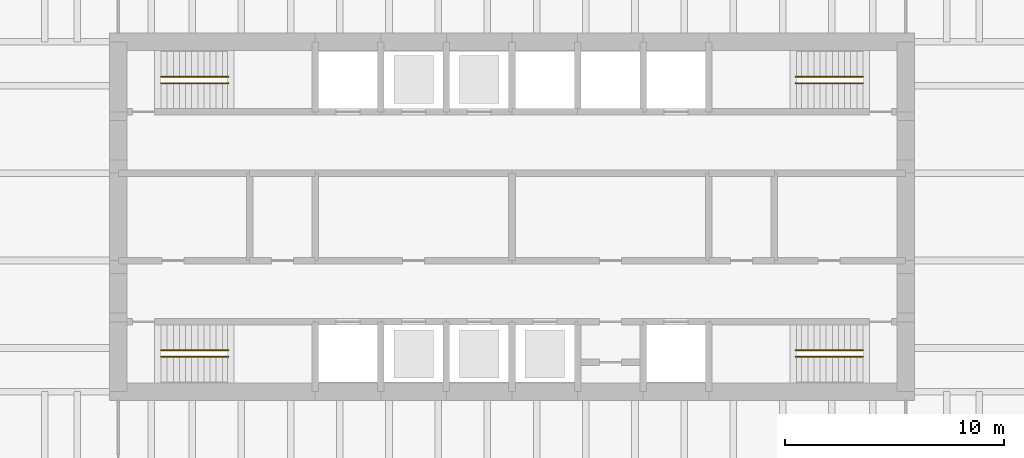
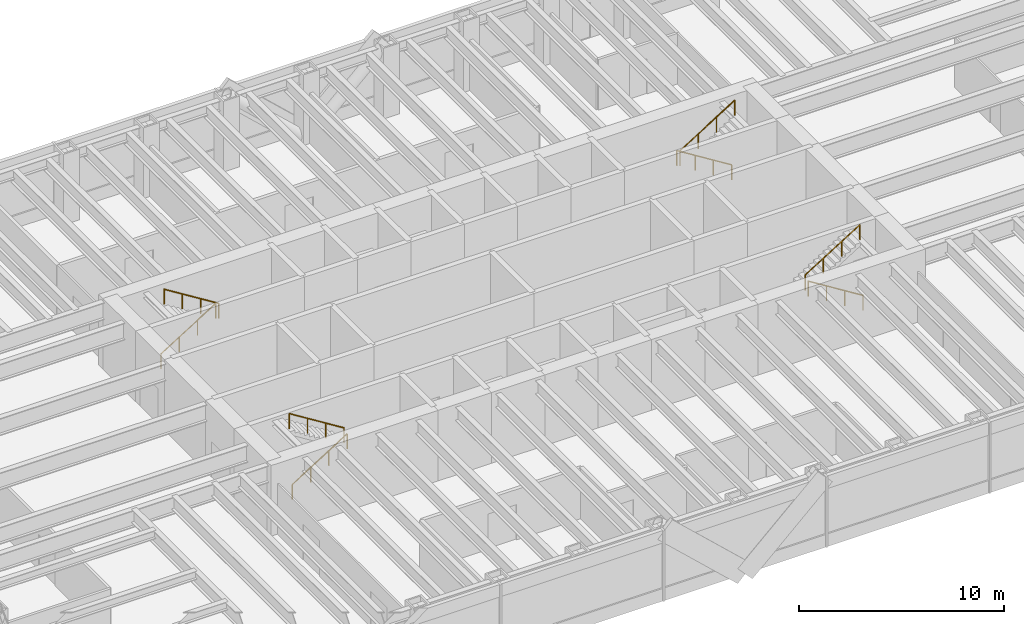
# One storey, part 13 of 14: 8 railings.
"""IFC4 building model written with IfcOpenShell, lengths in metres."""

from ifc_helpers import new_model, si_unit, direction, frame, origin, origin_2d, place, context, subcontext, project, spatial, circle, extrude, material, type_object, element, save


model = new_model("IFC4")

# Units and contexts
model_context = context("Model", 3, precision=1e-05, world=origin(), true_north=direction((0.0, 1.0)))
body_context = subcontext(model_context, "Body", "Model", "MODEL_VIEW")
ifc_project = project(units=[si_unit("LENGTHUNIT", "METRE"), si_unit("AREAUNIT", "SQUARE_METRE"), si_unit("VOLUMEUNIT", "CUBIC_METRE"), si_unit("PLANEANGLEUNIT", "RADIAN"), si_unit("MASSUNIT", "GRAM", prefix="KILO")], contexts=[model_context])

# Site, building, storey
site_placement = place(None, origin())
site = spatial("IfcSite", under=ifc_project, at=site_placement, CompositionType="ELEMENT")
building_placement = place(site_placement, origin())
building = spatial("IfcBuilding", under=site, at=building_placement, Name="Rheinbord Bourse Tower", CompositionType="ELEMENT")
storey_placement = place(building_placement, frame((0.0, 0.0, 185.800048828125)))
storey = spatial("IfcBuildingStorey", under=building, at=storey_placement, Name="L41", CompositionType="ELEMENT", Elevation=185.800048828125)

# Railings
ifc_material = material(Name="Steel handrail", Category="steel")
railing_type = type_object("IfcRailingType", Name="HANDRAIL 900", PredefinedType="HANDRAIL", material=ifc_material)
railing_1_placement = place(storey_placement, frame((19.949951171875, 17.60009765625, 0.175048828125)))
element("IfcRailing", 1, at=railing_1_placement, inside=storey, type_object=railing_type, Name="Handrail", PredefinedType="HANDRAIL", context=body_context, shape_type="SweptSolid", body=[
    extrude(circle(Radius=0.02392578125, at=origin_2d()), frame((0.0, 0.0, 0.8759765625), z_axis=(0.848028513186, 0.0, 0.529950602248), x_axis=(0.0, 1.0, 0.0)), (0.0, 0.0, 1.0), 3.632080078125),
    extrude(circle(Radius=0.02099609375, at=origin_2d()), origin(), (0.0, 0.0, 1.0), 0.851806640625),
    extrude(circle(Radius=0.02099609375, at=origin_2d()), frame((1.026611328125, 0.0, 0.6416015625)), (0.0, 0.0, 1.0), 0.851806640625),
    extrude(circle(Radius=0.02099609375, at=origin_2d()), frame((2.053466796875, 0.0, 1.283203125)), (0.0, 0.0, 1.0), 0.851806640625),
    extrude(circle(Radius=0.02099609375, at=origin_2d()), frame((3.080078125, 0.0, 1.9248046875)), (0.0, 0.0, 1.0), 0.851806640625),
])
railing_2_placement = place(storey_placement, frame((23.030029296875, 17.89990234375, 2.27490234375)))
element("IfcRailing", 2, at=railing_2_placement, inside=storey, type_object=railing_type, Name="Handrail", PredefinedType="HANDRAIL", context=body_context, shape_type="SweptSolid", body=[
    extrude(circle(Radius=0.02392578125, at=origin_2d()), frame((0.0, 0.0, 0.8759765625), z_axis=(-0.847998304005, 0.0, 0.529998940003), x_axis=(0.0, -1.0, 0.0)), (0.0, 0.0, 1.0), 3.632080078125),
    extrude(circle(Radius=0.02099609375, at=origin_2d()), origin(), (0.0, 0.0, 1.0), 0.851806640625),
    extrude(circle(Radius=0.02099609375, at=origin_2d()), frame((-1.026611328125, 0.0, 0.6416015625)), (0.0, 0.0, 1.0), 0.851806640625),
    extrude(circle(Radius=0.02099609375, at=origin_2d()), frame((-2.053466796875, 0.0, 1.283447265625)), (0.0, 0.0, 1.0), 0.851806640625),
    extrude(circle(Radius=0.02099609375, at=origin_2d()), frame((-3.080078125, 0.0, 1.925048828125)), (0.0, 0.0, 1.0), 0.851806640625),
])
railing_3_placement = place(storey_placement, frame((19.949951171875, 30.39990234375, 0.175048828125)))
element("IfcRailing", 3, at=railing_3_placement, inside=storey, type_object=railing_type, Name="Handrail", PredefinedType="HANDRAIL", context=body_context, shape_type="SweptSolid", body=[
    extrude(circle(Radius=0.02392578125, at=origin_2d()), frame((0.0, 0.0, 0.8759765625), z_axis=(0.848028513186, 0.0, 0.529950602248), x_axis=(0.0, 1.0, 0.0)), (0.0, 0.0, 1.0), 3.632080078125),
    extrude(circle(Radius=0.02099609375, at=origin_2d()), origin(), (0.0, 0.0, 1.0), 0.851806640625),
    extrude(circle(Radius=0.02099609375, at=origin_2d()), frame((1.026611328125, 0.0, 0.6416015625)), (0.0, 0.0, 1.0), 0.851806640625),
    extrude(circle(Radius=0.02099609375, at=origin_2d()), frame((2.053466796875, 0.0, 1.283203125)), (0.0, 0.0, 1.0), 0.851806640625),
    extrude(circle(Radius=0.02099609375, at=origin_2d()), frame((3.080078125, 0.0, 1.9248046875)), (0.0, 0.0, 1.0), 0.851806640625),
])
railing_4_placement = place(storey_placement, frame((23.030029296875, 30.10009765625, 2.27490234375)))
element("IfcRailing", 4, at=railing_4_placement, inside=storey, type_object=railing_type, Name="Handrail", PredefinedType="HANDRAIL", context=body_context, shape_type="SweptSolid", body=[
    extrude(circle(Radius=0.02392578125, at=origin_2d()), frame((0.0, 0.0, 0.8759765625), z_axis=(-0.847998304005, 0.0, 0.529998940003), x_axis=(0.0, -1.0, 0.0)), (0.0, 0.0, 1.0), 3.632080078125),
    extrude(circle(Radius=0.02099609375, at=origin_2d()), origin(), (0.0, 0.0, 1.0), 0.851806640625),
    extrude(circle(Radius=0.02099609375, at=origin_2d()), frame((-1.026611328125, 0.0, 0.6416015625)), (0.0, 0.0, 1.0), 0.851806640625),
    extrude(circle(Radius=0.02099609375, at=origin_2d()), frame((-2.053466796875, 0.0, 1.283447265625)), (0.0, 0.0, 1.0), 0.851806640625),
    extrude(circle(Radius=0.02099609375, at=origin_2d()), frame((-3.080078125, 0.0, 1.925048828125)), (0.0, 0.0, 1.0), 0.851806640625),
])
railing_5_placement = place(storey_placement, frame((52.050048828125, 17.60009765625, 0.175048828125)))
element("IfcRailing", 5, at=railing_5_placement, inside=storey, type_object=railing_type, Name="Handrail", PredefinedType="HANDRAIL", context=body_context, shape_type="SweptSolid", body=[
    extrude(circle(Radius=0.02392578125, at=origin_2d()), frame((0.0, 0.0, 0.8759765625), z_axis=(-0.848028513186, 0.0, 0.529950602248), x_axis=(0.0, -1.0, 0.0)), (0.0, 0.0, 1.0), 3.632080078125),
    extrude(circle(Radius=0.02099609375, at=origin_2d()), origin(), (0.0, 0.0, 1.0), 0.851806640625),
    extrude(circle(Radius=0.02099609375, at=origin_2d()), frame((-1.026611328125, 0.0, 0.6416015625)), (0.0, 0.0, 1.0), 0.851806640625),
    extrude(circle(Radius=0.02099609375, at=origin_2d()), frame((-2.053466796875, 0.0, 1.283203125)), (0.0, 0.0, 1.0), 0.851806640625),
    extrude(circle(Radius=0.02099609375, at=origin_2d()), frame((-3.080078125, 0.0, 1.9248046875)), (0.0, 0.0, 1.0), 0.851806640625),
])
railing_6_placement = place(storey_placement, frame((48.969970703125, 17.89990234375, 2.27490234375)))
element("IfcRailing", 6, at=railing_6_placement, inside=storey, type_object=railing_type, Name="Handrail", PredefinedType="HANDRAIL", context=body_context, shape_type="SweptSolid", body=[
    extrude(circle(Radius=0.02392578125, at=origin_2d()), frame((0.0, 0.0, 0.8759765625), z_axis=(0.847998304005, 0.0, 0.529998940003), x_axis=(0.0, 1.0, 0.0)), (0.0, 0.0, 1.0), 3.632080078125),
    extrude(circle(Radius=0.02099609375, at=origin_2d()), origin(), (0.0, 0.0, 1.0), 0.851806640625),
    extrude(circle(Radius=0.02099609375, at=origin_2d()), frame((1.026611328125, 0.0, 0.6416015625)), (0.0, 0.0, 1.0), 0.851806640625),
    extrude(circle(Radius=0.02099609375, at=origin_2d()), frame((2.053466796875, 0.0, 1.283447265625)), (0.0, 0.0, 1.0), 0.851806640625),
    extrude(circle(Radius=0.02099609375, at=origin_2d()), frame((3.080078125, 0.0, 1.925048828125)), (0.0, 0.0, 1.0), 0.851806640625),
])
railing_7_placement = place(storey_placement, frame((52.050048828125, 30.39990234375, 0.175048828125)))
element("IfcRailing", 7, at=railing_7_placement, inside=storey, type_object=railing_type, Name="Handrail", PredefinedType="HANDRAIL", context=body_context, shape_type="SweptSolid", body=[
    extrude(circle(Radius=0.02392578125, at=origin_2d()), frame((0.0, 0.0, 0.8759765625), z_axis=(-0.848028513186, 0.0, 0.529950602248), x_axis=(0.0, -1.0, 0.0)), (0.0, 0.0, 1.0), 3.632080078125),
    extrude(circle(Radius=0.02099609375, at=origin_2d()), origin(), (0.0, 0.0, 1.0), 0.851806640625),
    extrude(circle(Radius=0.02099609375, at=origin_2d()), frame((-1.026611328125, 0.0, 0.6416015625)), (0.0, 0.0, 1.0), 0.851806640625),
    extrude(circle(Radius=0.02099609375, at=origin_2d()), frame((-2.053466796875, 0.0, 1.283203125)), (0.0, 0.0, 1.0), 0.851806640625),
    extrude(circle(Radius=0.02099609375, at=origin_2d()), frame((-3.080078125, 0.0, 1.9248046875)), (0.0, 0.0, 1.0), 0.851806640625),
])
railing_8_placement = place(storey_placement, frame((48.969970703125, 30.10009765625, 2.27490234375)))
element("IfcRailing", 8, at=railing_8_placement, inside=storey, type_object=railing_type, Name="Handrail", PredefinedType="HANDRAIL", context=body_context, shape_type="SweptSolid", body=[
    extrude(circle(Radius=0.02392578125, at=origin_2d()), frame((0.0, 0.0, 0.8759765625), z_axis=(0.847998304005, 0.0, 0.529998940003), x_axis=(0.0, 1.0, 0.0)), (0.0, 0.0, 1.0), 3.632080078125),
    extrude(circle(Radius=0.02099609375, at=origin_2d()), origin(), (0.0, 0.0, 1.0), 0.851806640625),
    extrude(circle(Radius=0.02099609375, at=origin_2d()), frame((1.026611328125, 0.0, 0.6416015625)), (0.0, 0.0, 1.0), 0.851806640625),
    extrude(circle(Radius=0.02099609375, at=origin_2d()), frame((2.053466796875, 0.0, 1.283447265625)), (0.0, 0.0, 1.0), 0.851806640625),
    extrude(circle(Radius=0.02099609375, at=origin_2d()), frame((3.080078125, 0.0, 1.925048828125)), (0.0, 0.0, 1.0), 0.851806640625),
])

save(model, "model.ifc")
